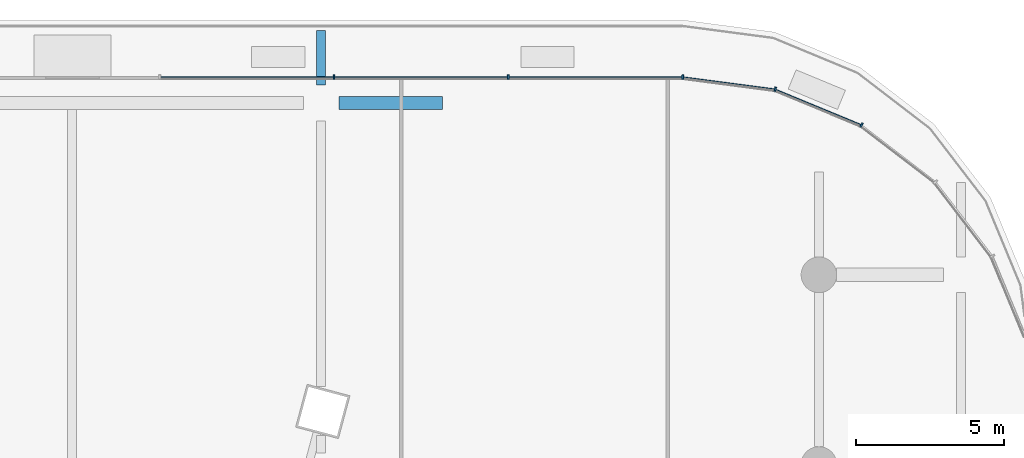
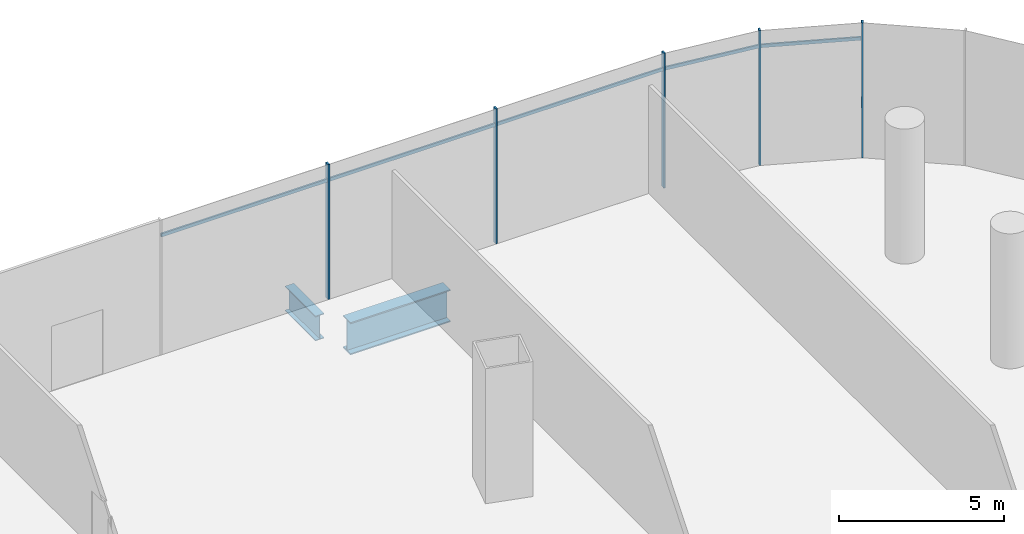
# One storey, part 30 of 51: 10 members, 2 beams, 1 element without a shape of its own.
"""IFC4 building model written with IfcOpenShell, lengths in metres."""

from ifc_helpers import new_model, si_unit, direction, frame, origin, origin_2d, place, context, subcontext, project, spatial, rectangle, i_section, extrude, material, material_profile, profile_set, type_object, element, aggregate, save


model = new_model("IFC4")

# Units and contexts
model_context = context("Model", 3, precision=1e-05, world=origin(), true_north=direction((0.0, 1.0)))
body_context = subcontext(model_context, "Body", "Model", "MODEL_VIEW")
ifc_project = project(units=[si_unit("LENGTHUNIT", "METRE"), si_unit("AREAUNIT", "SQUARE_METRE"), si_unit("VOLUMEUNIT", "CUBIC_METRE"), si_unit("PLANEANGLEUNIT", "RADIAN"), si_unit("MASSUNIT", "GRAM", prefix="KILO")], contexts=[model_context])

# Site, building, storey
site_placement = place(None, origin())
site = spatial("IfcSite", under=ifc_project, at=site_placement, CompositionType="ELEMENT")
building_placement = place(site_placement, origin())
building = spatial("IfcBuilding", under=site, at=building_placement, Name="Rimbun Link Towers", CompositionType="ELEMENT")
storey_placement = place(building_placement, frame((0.0, 0.0, 7.0)))
storey = spatial("IfcBuildingStorey", under=building, at=storey_placement, Name="L01", CompositionType="ELEMENT", Elevation=7.0)

# Curtain wall, members
ifc_material_1 = material(Name="Aluminium 6063-T6 and low-iron glass", Category="aluminium")
curtain_wall_type = type_object("IfcCurtainWallType", Name="CW3 podium shopfront", PredefinedType="NOTDEFINED", material=ifc_material_1)
curtain_wall_placement = place(storey_placement, origin())
curtain_wall = element("IfcCurtainWall", 1, at=curtain_wall_placement, inside=storey, type_object=curtain_wall_type, Name="CW3 L01 PD", PredefinedType="NOTDEFINED")
ifc_material_2 = material(Name="Aluminium 6063-T6", Category="aluminium")
ifc_material_profile_1 = material_profile(ifc_material_2, rectangle(XDim=0.14990234375, YDim=0.06005859375, at=origin_2d()), Name="MULLION 60X150")
ifc_profile_set_1 = profile_set([ifc_material_profile_1], Name="Aluminium 6063-T6")
member_type_1 = type_object("IfcMemberType", Name="CW3 mullion 60X150", PredefinedType="MULLION", material=ifc_profile_set_1)
member_1_placement = place(storey_placement, frame((56.03759765625, 32.457275390625, 0.0), z_axis=(0.0, 0.0, 1.0), x_axis=(0.499993701568, 0.866029040155, 0.0)))
member_1 = element("IfcMember", 2, at=member_1_placement, type_object=member_type_1, Name="CW3 mullion", PredefinedType="MULLION", context=body_context, shape_type="SweptSolid", body=[
    extrude(rectangle(XDim=0.14990234375, YDim=0.06005859375, at=origin_2d()), origin(), (0.0, 0.0, 1.0), 5.0),
])
member_2_placement = place(storey_placement, frame((53.125244140625, 33.66357421875, 0.0), z_axis=(0.0, 0.0, 1.0), x_axis=(0.258818729038, 0.965925910978, 0.0)))
member_2 = element("IfcMember", 3, at=member_2_placement, type_object=member_type_1, Name="CW3 mullion", PredefinedType="MULLION", context=body_context, shape_type="SweptSolid", body=[
    extrude(rectangle(XDim=0.14990234375, YDim=0.06005859375, at=origin_2d()), origin(), (0.0, 0.0, 1.0), 5.0),
])
member_3_placement = place(storey_placement, frame((50.0048828125, 34.074951171875, 0.0), z_axis=(0.0, 0.0, 1.0), x_axis=(0.065405288299, 0.997858781723, 0.0)))
member_3 = element("IfcMember", 4, at=member_3_placement, type_object=member_type_1, Name="CW3 mullion", PredefinedType="MULLION", context=body_context, shape_type="SweptSolid", body=[
    extrude(rectangle(XDim=0.14990234375, YDim=0.06005859375, at=origin_2d()), origin(), (0.0, 0.0, 1.0), 5.0),
])
member_4_placement = place(storey_placement, frame((44.11767578125, 34.074951171875, 0.0), z_axis=(0.0, 0.0, 1.0), x_axis=(0.0, 1.0, 0.0)))
member_4 = element("IfcMember", 5, at=member_4_placement, type_object=member_type_1, Name="CW3 mullion", PredefinedType="MULLION", context=body_context, shape_type="SweptSolid", body=[
    extrude(rectangle(XDim=0.14990234375, YDim=0.06005859375, at=origin_2d()), origin(), (0.0, 0.0, 1.0), 5.0),
])
member_5_placement = place(storey_placement, frame((38.2353515625, 34.074951171875, 0.0), z_axis=(0.0, 0.0, 1.0), x_axis=(0.0, 1.0, 0.0)))
member_5 = element("IfcMember", 6, at=member_5_placement, type_object=member_type_1, Name="CW3 mullion", PredefinedType="MULLION", context=body_context, shape_type="SweptSolid", body=[
    extrude(rectangle(XDim=0.14990234375, YDim=0.06005859375, at=origin_2d()), origin(), (0.0, 0.0, 1.0), 5.0),
])
ifc_material_3 = material(Name="Aluminium 6063-T6", Category="aluminium")
ifc_material_profile_2 = material_profile(ifc_material_3, rectangle(XDim=0.06005859375, YDim=0.1201171875, at=origin_2d()), Name="TRANSOM 60X120")
ifc_profile_set_2 = profile_set([ifc_material_profile_2], Name="Aluminium 6063-T6")
member_type_2 = type_object("IfcMemberType", Name="CW3 transom 60X120", PredefinedType="USERDEFINED", material=ifc_profile_set_2)
member_6_placement = place(storey_placement, frame((53.154296875, 33.62939453125, 4.39990234375), z_axis=(0.923881248716, -0.382679289053, 0.0), x_axis=(0.382679289053, 0.923881248716, 0.0)))
member_6 = element("IfcMember", 7, at=member_6_placement, type_object=member_type_2, Name="CW3 transom", ObjectType="TRANSOM", PredefinedType="USERDEFINED", context=body_context, shape_type="SweptSolid", body=[
    extrude(rectangle(XDim=0.06005859375, YDim=0.1201171875, at=origin_2d()), origin(), (0.0, 0.0, 1.0), 3.072509765625),
])
member_7_placement = place(storey_placement, frame((50.036865234375, 34.049560546875, 4.39990234375), z_axis=(0.991441037829, -0.130555231638, 0.0), x_axis=(0.130555231638, 0.991441037829, 0.0)))
member_7 = element("IfcMember", 8, at=member_7_placement, type_object=member_type_2, Name="CW3 transom", ObjectType="TRANSOM", PredefinedType="USERDEFINED", context=body_context, shape_type="SweptSolid", body=[
    extrude(rectangle(XDim=0.06005859375, YDim=0.1201171875, at=origin_2d()), origin(), (0.0, 0.0, 1.0), 3.072509765625),
])
member_8_placement = place(storey_placement, frame((44.147705078125, 34.053955078125, 4.39990234375), z_axis=(1.0, 0.0, 0.0), x_axis=(0.0, 1.0, 0.0)))
member_8 = element("IfcMember", 9, at=member_8_placement, type_object=member_type_2, Name="CW3 transom", ObjectType="TRANSOM", PredefinedType="USERDEFINED", context=body_context, shape_type="SweptSolid", body=[
    extrude(rectangle(XDim=0.06005859375, YDim=0.1201171875, at=origin_2d()), origin(), (0.0, 0.0, 1.0), 5.822265625),
])
member_9_placement = place(storey_placement, frame((38.265380859375, 34.053955078125, 4.39990234375), z_axis=(1.0, 0.0, 0.0), x_axis=(0.0, 1.0, 0.0)))
member_9 = element("IfcMember", 10, at=member_9_placement, type_object=member_type_2, Name="CW3 transom", ObjectType="TRANSOM", PredefinedType="USERDEFINED", context=body_context, shape_type="SweptSolid", body=[
    extrude(rectangle(XDim=0.06005859375, YDim=0.1201171875, at=origin_2d()), origin(), (0.0, 0.0, 1.0), 5.822265625),
])
member_10_placement = place(storey_placement, frame((32.383056640625, 34.053955078125, 4.39990234375), z_axis=(1.0, 0.0, 0.0), x_axis=(0.0, 1.0, 0.0)))
member_10 = element("IfcMember", 11, at=member_10_placement, type_object=member_type_2, Name="CW3 transom", ObjectType="TRANSOM", PredefinedType="USERDEFINED", context=body_context, shape_type="SweptSolid", body=[
    extrude(rectangle(XDim=0.06005859375, YDim=0.1201171875, at=origin_2d()), origin(), (0.0, 0.0, 1.0), 5.822265625),
])
aggregate(curtain_wall, [member_1, member_2, member_3, member_4, member_5, member_6, member_7, member_8, member_9, member_10])

# Beams
ifc_material_4 = material(Name="Steel S355J2", Category="steel")
ifc_material_profile_3 = material_profile(ifc_material_4, i_section(OverallWidth=0.449951171875, OverallDepth=1.199951171875, WebThickness=0.030029296875, FlangeThickness=0.044921875, at=origin_2d()), Name="PG 1200x450x30/45")
ifc_profile_set_3 = profile_set([ifc_material_profile_3], Name="Steel S355J2")
beam_type_1 = type_object("IfcBeamType", Name="PG 1200x450x30/45", PredefinedType="BEAM", material=ifc_profile_set_3)
beam_1_placement = place(storey_placement, frame((38.39990234375, 33.199951171875, -0.89990234375), z_axis=(1.0, 0.0, 0.0), x_axis=(0.0, 1.0, 0.0)))
element("IfcBeam", 12, at=beam_1_placement, inside=storey, type_object=beam_type_1, Name="Grid beam L01 +33.2", PredefinedType="BEAM", context=body_context, shape_type="SweptSolid", body=[
    extrude(i_section(OverallWidth=0.449951171875, OverallDepth=1.199951171875, WebThickness=0.030029296875, FlangeThickness=0.044921875, at=origin_2d()), origin(), (0.0, 0.0, 1.0), 3.5),
])
ifc_material_5 = material(Name="Steel S355J2", Category="steel")
ifc_material_profile_4 = material_profile(ifc_material_5, i_section(OverallWidth=0.305419921875, OverallDepth=0.91845703125, WebThickness=0.017333984375, FlangeThickness=0.02783203125, at=origin_2d()), Name="UB 914x305x253")
ifc_profile_set_4 = profile_set([ifc_material_profile_4], Name="Steel S355J2")
beam_type_2 = type_object("IfcBeamType", Name="UB 914x305x253", PredefinedType="BEAM", material=ifc_profile_set_4)
beam_2_placement = place(storey_placement, frame((37.800048828125, 33.800048828125, -0.75927734375), z_axis=(0.0, 1.0, 0.0), x_axis=(-1.0, 0.0, 0.0)))
element("IfcBeam", 13, at=beam_2_placement, inside=storey, type_object=beam_type_2, Name="Grid beam L01 +37.8", PredefinedType="BEAM", context=body_context, shape_type="SweptSolid", body=[
    extrude(i_section(OverallWidth=0.305419921875, OverallDepth=0.91845703125, WebThickness=0.017333984375, FlangeThickness=0.02783203125, at=origin_2d()), origin(), (0.0, 0.0, 1.0), 1.84912109375),
])

save(model, "model.ifc")
